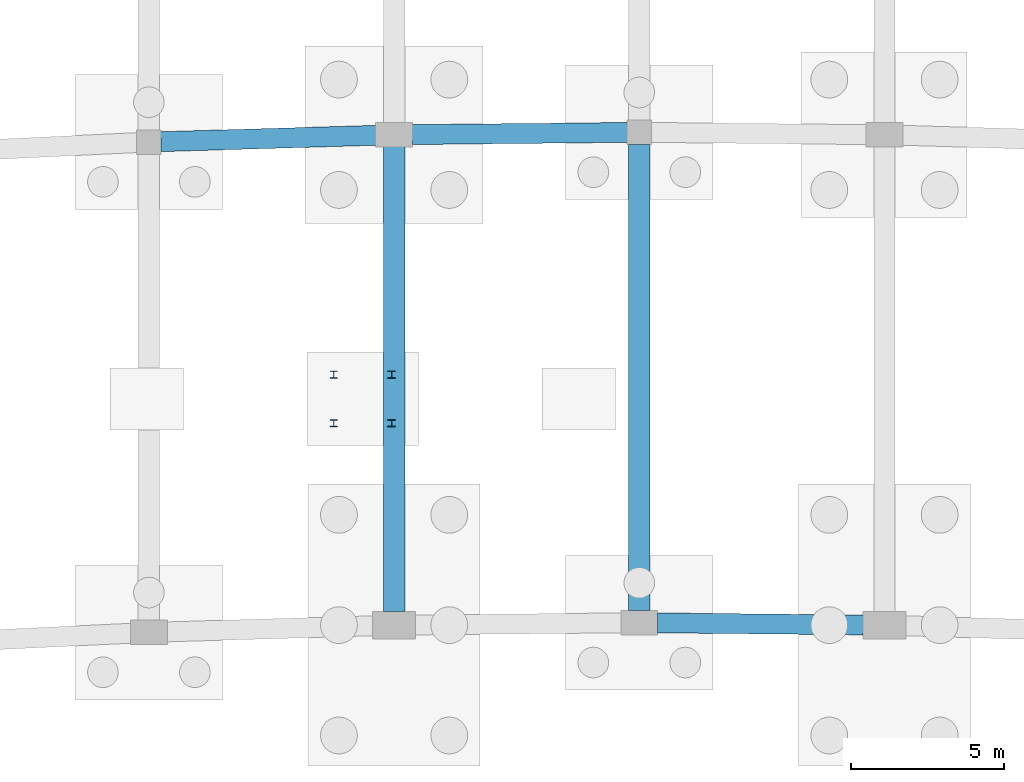
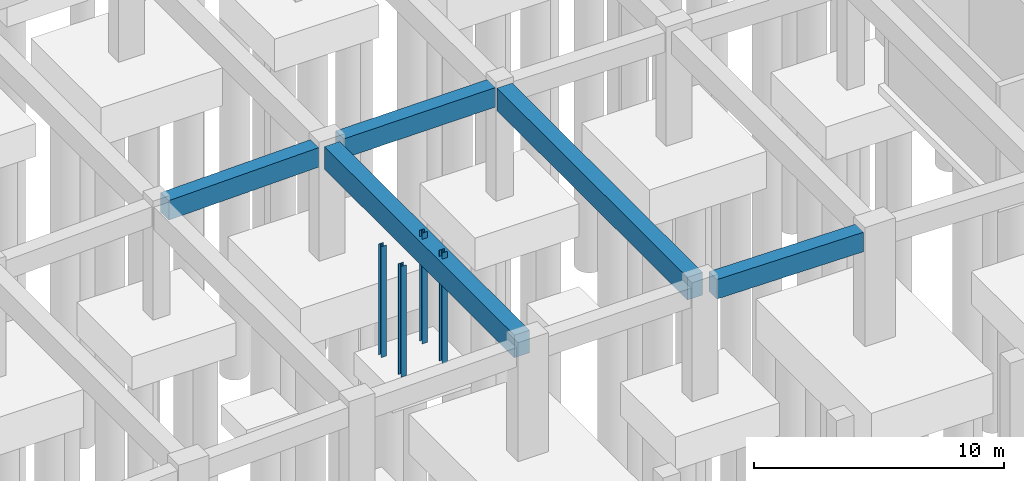
# One storey, part 18 of 45: 5 beams, 4 members.
"""IFC4 building model written with IfcOpenShell, lengths in metres."""

from ifc_helpers import new_model, si_unit, direction, frame, origin, origin_2d, place, context, subcontext, project, spatial, rectangle, i_section, extrude, material, material_profile, profile_set, type_object, element, save


model = new_model("IFC4")

# Units and contexts
model_context = context("Model", 3, precision=1e-05, world=origin(), true_north=direction((0.0, 1.0)))
body_context = subcontext(model_context, "Body", "Model", "MODEL_VIEW")
ifc_project = project(units=[si_unit("LENGTHUNIT", "METRE"), si_unit("AREAUNIT", "SQUARE_METRE"), si_unit("VOLUMEUNIT", "CUBIC_METRE"), si_unit("PLANEANGLEUNIT", "RADIAN"), si_unit("MASSUNIT", "GRAM", prefix="KILO")], contexts=[model_context])

# Site, building, storey
site_placement = place(None, origin())
site = spatial("IfcSite", under=ifc_project, at=site_placement, CompositionType="ELEMENT")
building_placement = place(site_placement, origin())
building = spatial("IfcBuilding", under=site, at=building_placement, Name="Kenh Van Central Station", CompositionType="ELEMENT")
storey_placement = place(building_placement, frame((0.0, 0.0, -5.39990234375)))
storey = spatial("IfcBuildingStorey", under=building, at=storey_placement, Name="B1", CompositionType="ELEMENT", Elevation=-5.39990234375)

# Beams
ifc_material_1 = material(Name="Concrete C40/50", Category="concrete")
ifc_material_profile_1 = material_profile(ifc_material_1, rectangle(XDim=0.64990234375, YDim=0.949951171875, at=origin_2d()), Name="RC 650x950")
ifc_profile_set_1 = profile_set([ifc_material_profile_1], Name="Concrete C40/50")
beam_type_1 = type_object("IfcBeamType", Name="BM-RC-650x950", PredefinedType="BEAM", material=ifc_profile_set_1)
beam_1_placement = place(storey_placement, frame((88.590087890625, 67.194091796875, 4.625), z_axis=(0.99994973094, -0.010026743896, 0.0), x_axis=(0.010026743896, 0.99994973094, 0.0)))
element("IfcBeam", 1, at=beam_1_placement, inside=storey, type_object=beam_type_1, Name="B1 viaduct girder 1308", PredefinedType="BEAM", context=body_context, shape_type="SweptSolid", body=[
    extrude(rectangle(XDim=0.64990234375, YDim=0.949951171875, at=origin_2d()), origin(), (0.0, 0.0, 1.0), 6.72021484375),
])
beam_2_placement = place(storey_placement, frame((72.389892578125, 82.89453125, 4.625), z_axis=(0.999562359797, 0.029581901172, 0.0), x_axis=(-0.029581901172, 0.999562359797, 0.0)))
element("IfcBeam", 2, at=beam_2_placement, inside=storey, type_object=beam_type_1, Name="B1 viaduct girder 1317", PredefinedType="BEAM", context=body_context, shape_type="SweptSolid", body=[
    extrude(rectangle(XDim=0.64990234375, YDim=0.949951171875, at=origin_2d()), origin(), (0.0, 0.0, 1.0), 7.0234375),
])
beam_3_placement = place(storey_placement, frame((80.590087890625, 83.125732421875, 4.625), z_axis=(0.999949843668, 0.010015495409, 0.0), x_axis=(-0.010015495409, 0.999949843668, 0.0)))
element("IfcBeam", 3, at=beam_3_placement, inside=storey, type_object=beam_type_1, Name="B1 viaduct girder 1318", PredefinedType="BEAM", context=body_context, shape_type="SweptSolid", body=[
    extrude(rectangle(XDim=0.64990234375, YDim=0.949951171875, at=origin_2d()), origin(), (0.0, 0.0, 1.0), 7.020263671875),
])
ifc_material_profile_2 = material_profile(ifc_material_1, rectangle(XDim=0.699951171875, YDim=1.10009765625, at=origin_2d()), Name="RC 700x1100")
ifc_profile_set_2 = profile_set([ifc_material_profile_2], Name="Concrete C40/50")
beam_type_2 = type_object("IfcBeamType", Name="BM-RC-700x1100", PredefinedType="BEAM", material=ifc_profile_set_2)
beam_4_placement = place(storey_placement, frame((80.0, 67.559814453125, 4.5498046875), z_axis=(0.0, 1.0, 0.0), x_axis=(-1.0, 0.0, 0.0)))
element("IfcBeam", 4, at=beam_4_placement, inside=storey, type_object=beam_type_2, Name="B1 viaduct cross-girder 1363", PredefinedType="BEAM", context=body_context, shape_type="SweptSolid", body=[
    extrude(rectangle(XDim=0.699951171875, YDim=1.10009765625, at=origin_2d()), origin(), (0.0, 0.0, 1.0), 15.169921875),
])
beam_5_placement = place(storey_placement, frame((88.0, 67.590087890625, 4.5498046875), z_axis=(0.0, 1.0, 0.0), x_axis=(-1.0, 0.0, 0.0)))
element("IfcBeam", 5, at=beam_5_placement, inside=storey, type_object=beam_type_2, Name="B1 viaduct cross-girder 1366", PredefinedType="BEAM", context=body_context, shape_type="SweptSolid", body=[
    extrude(rectangle(XDim=0.699951171875, YDim=1.10009765625, at=origin_2d()), origin(), (0.0, 0.0, 1.0), 15.219970703125),
])

# Members
ifc_material_2 = material(Name="Steel S355", Category="steel")
ifc_material_profile_3 = material_profile(ifc_material_2, i_section(OverallWidth=0.239990234375, OverallDepth=0.22998046875, WebThickness=0.007568359375, FlangeThickness=0.011962890625, FilletRadius=0.02099609375, at=origin_2d()), Name="HEA 240")
ifc_profile_set_3 = profile_set([ifc_material_profile_3], Name="Steel S355")
member_type = type_object("IfcMemberType", Name="MEM-ROOF-POST240", PredefinedType="POST", material=ifc_profile_set_3)
for number, where, z_axis, x_axis, name in (
    (6, (78.030029296875, 73.705078125, 0.0), (0.0, 0.0, 1.0), (1.0, 0.0, 0.0), "B1 transfer landing post ST-PUB5 11"),
    (7, (78.030029296875, 75.294921875, 0.0), (0.0, 0.0, 1.0), (1.0, 0.0, 0.0), "B1 transfer landing post ST-PUB5 12"),
    (8, (79.919921875, 73.705078125, 0.0), (0.0, 0.0, 1.0), (1.0, 0.0, 0.0), "B1 transfer landing post ST-PUB5 21"),
    (9, (79.919921875, 75.294921875, 0.0), (0.0, 0.0, 1.0), (1.0, 0.0, 0.0), "B1 transfer landing post ST-PUB5 22"),
):
    element("IfcMember", number, at=place(storey_placement, frame(where, z_axis=z_axis, x_axis=x_axis)), inside=storey, type_object=member_type, Name=name, PredefinedType="POST", context=body_context, shape_type="SweptSolid", body=[
        extrude(i_section(OverallWidth=0.239990234375, OverallDepth=0.22998046875, WebThickness=0.007568359375, FlangeThickness=0.011962890625, FilletRadius=0.02099609375, at=origin_2d()), origin(), (0.0, 0.0, 1.0), 5.39990234375),
    ])

save(model, "model.ifc")
